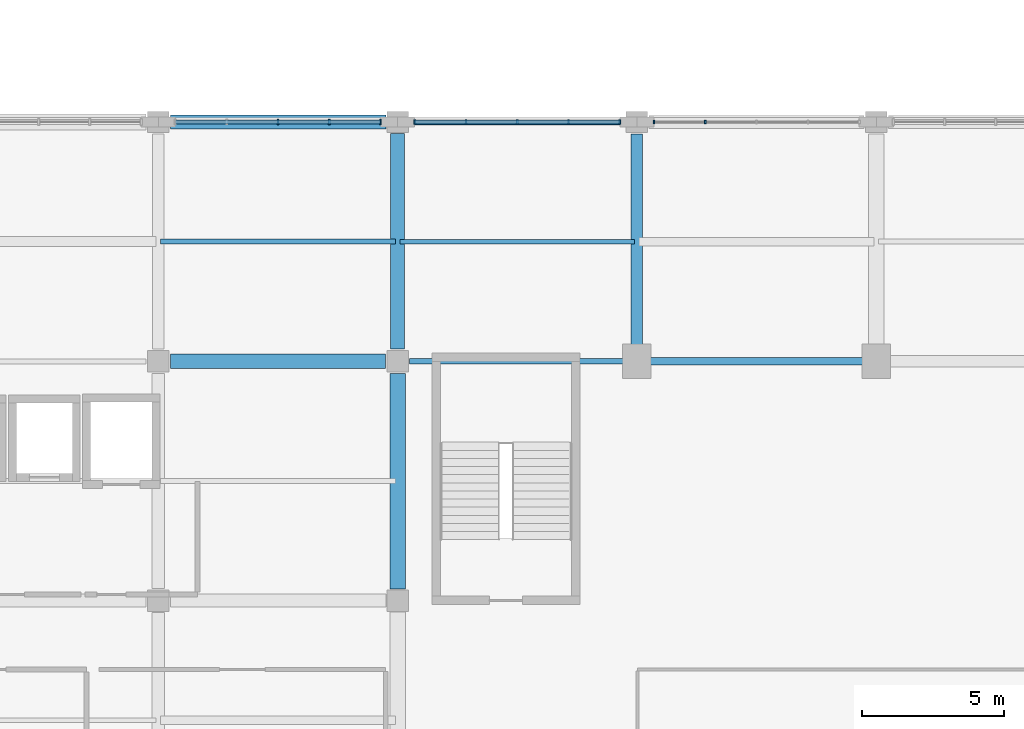
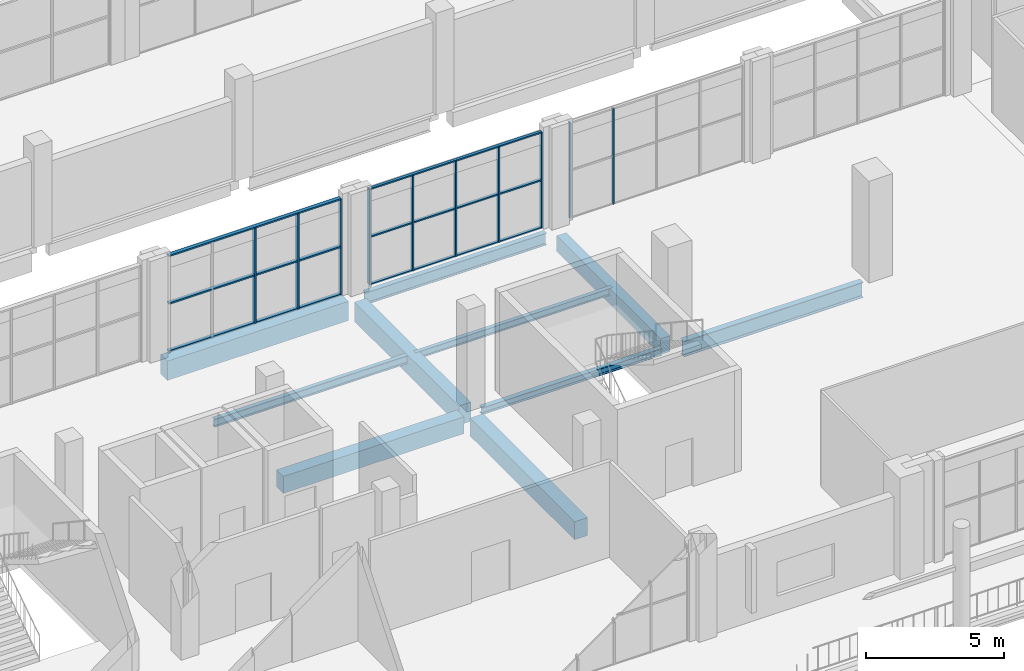
# One storey, part 27 of 75: 16 members, 10 beams, 3 elements without a shape of their own.
"""IFC4 building model written with IfcOpenShell, lengths in metres."""

from ifc_helpers import new_model, si_unit, derived_unit, direction, frame, origin, origin_2d, place, context, subcontext, project, spatial, rectangle, i_section, extrude, material, material_profile, profile_set, type_object, element, aggregate, save


model = new_model("IFC4")

# Units and contexts
model_context = context("Model", 3, precision=1e-05, world=origin(), true_north=direction((0.0, 1.0)))
body_context = subcontext(model_context, "Body", "Model", "MODEL_VIEW")
ifc_project = project(units=[si_unit("LENGTHUNIT", "METRE"), si_unit("AREAUNIT", "SQUARE_METRE"), si_unit("VOLUMEUNIT", "CUBIC_METRE"), si_unit("PLANEANGLEUNIT", "RADIAN"), si_unit("MASSUNIT", "GRAM", prefix="KILO"), derived_unit("THERMALTRANSMITTANCEUNIT", [(si_unit("POWERUNIT", "WATT"), 1), (si_unit("LENGTHUNIT", "METRE"), -2), (si_unit("THERMODYNAMICTEMPERATUREUNIT", "KELVIN"), -1)])], contexts=[model_context])

# Site, building, storey
site_placement = place(None, origin())
site = spatial("IfcSite", under=ifc_project, at=site_placement, CompositionType="ELEMENT")
building_placement = place(site_placement, origin())
building = spatial("IfcBuilding", under=site, at=building_placement, Name="Barrovel Congress Hotel", CompositionType="ELEMENT")
storey_placement = place(building_placement, frame((0.0, 0.0, 5.39990234375)))
storey = spatial("IfcBuildingStorey", under=building, at=storey_placement, Name="L01", CompositionType="ELEMENT", Elevation=5.39990234375)

# Beams
ifc_material_1 = material(Name="Concrete C40", Category="concrete")
ifc_material_profile_1 = material_profile(ifc_material_1, rectangle(XDim=0.39990234375, YDim=0.699951171875, at=origin_2d()), Name="RC400x700")
ifc_profile_set_1 = profile_set([ifc_material_profile_1], Name="Concrete C40")
beam_type_1 = type_object("IfcBeamType", Name="BM-RC400x700", PredefinedType="BEAM", material=ifc_profile_set_1)
beam_1_placement = place(storey_placement, frame((109.199951171875, 21.449951171875, -0.60986328125), z_axis=(0.0, 1.0, 0.0), x_axis=(-1.0, 0.0, 0.0)))
element("IfcBeam", 1, at=beam_1_placement, inside=storey, type_object=beam_type_1, Name="BMY:L01:109.2:21.0-29.4", PredefinedType="BEAM", context=body_context, shape_type="SweptSolid", body=[
    extrude(rectangle(XDim=0.39990234375, YDim=0.699951171875, at=origin_2d()), origin(), (0.0, 0.0, 1.0), 7.525146484375),
])
ifc_material_profile_2 = material_profile(ifc_material_1, rectangle(XDim=0.5, YDim=0.75, at=origin_2d()), Name="RC500x750")
ifc_profile_set_2 = profile_set([ifc_material_profile_2], Name="Concrete C40")
beam_type_2 = type_object("IfcBeamType", Name="BM-RC500x750", PredefinedType="BEAM", material=ifc_profile_set_2)
beam_2_placement = place(storey_placement, frame((92.824951171875, 21.0, -0.635009765625), z_axis=(1.0, 0.0, 0.0), x_axis=(0.0, 1.0, 0.0)))
element("IfcBeam", 2, at=beam_2_placement, inside=storey, type_object=beam_type_2, Name="BMX:L01:21.0:92.4-100.8", PredefinedType="BEAM", context=body_context, shape_type="SweptSolid", body=[
    extrude(rectangle(XDim=0.5, YDim=0.75, at=origin_2d()), origin(), (0.0, 0.0, 1.0), 7.550048828125),
])
ifc_material_profile_3 = material_profile(ifc_material_1, rectangle(XDim=0.5, YDim=0.85009765625, at=origin_2d()), Name="RC500x850")
ifc_profile_set_3 = profile_set([ifc_material_profile_3], Name="Concrete C40")
beam_type_3 = type_object("IfcBeamType", Name="BM-RC500x850", PredefinedType="BEAM", material=ifc_profile_set_3)
for number, where, z_axis, x_axis, name in (
    (3, (92.824951171875, 29.39990234375, -0.684814453125), (1.0, 0.0, 0.0), (0.0, 1.0, 0.0), "BMX:L01:29.4:92.4-100.8"),
    (4, (100.800048828125, 21.425048828125, -0.684814453125), (0.0, 1.0, 0.0), (-1.0, 0.0, 0.0), "BMY:L01:100.8:21.0-29.4"),
):
    element("IfcBeam", number, at=place(storey_placement, frame(where, z_axis=z_axis, x_axis=x_axis)), inside=storey, type_object=beam_type_3, Name=name, PredefinedType="BEAM", context=body_context, shape_type="SweptSolid", body=[
        extrude(rectangle(XDim=0.5, YDim=0.85009765625, at=origin_2d()), origin(), (0.0, 0.0, 1.0), 7.574951171875),
    ])
ifc_material_profile_4 = material_profile(ifc_material_1, rectangle(XDim=0.550048828125, YDim=0.800048828125, at=origin_2d()), Name="RC550x800")
ifc_profile_set_4 = profile_set([ifc_material_profile_4], Name="Concrete C40")
beam_type_4 = type_object("IfcBeamType", Name="BM-RC550x800", PredefinedType="BEAM", material=ifc_profile_set_4)
beam_3_placement = place(storey_placement, frame((100.800048828125, 13.0, -0.659912109375), z_axis=(0.0, 1.0, 0.0), x_axis=(-1.0, 0.0, 0.0)))
element("IfcBeam", 5, at=beam_3_placement, inside=storey, type_object=beam_type_4, Name="BMY:L01:100.8:12.6-21.0", PredefinedType="BEAM", context=body_context, shape_type="SweptSolid", body=[
    extrude(rectangle(XDim=0.550048828125, YDim=0.800048828125, at=origin_2d()), origin(), (0.0, 0.0, 1.0), 7.574951171875),
])

# Curtain wall, members
ifc_material_2 = material(Name="Anodised Aluminium Alloy 6063-T6", Category="aluminium")
curtain_wall_type = type_object("IfcCurtainWallType", Name="CW-ST-7200x3900", PredefinedType="USERDEFINED", material=ifc_material_2)
curtain_wall_1_placement = place(storey_placement, origin())
curtain_wall_1 = element("IfcCurtainWall", 6, at=curtain_wall_1_placement, inside=storey, type_object=curtain_wall_type, Name="CW:L01:CS:13", ObjectType="STICK CURTAIN WALL", PredefinedType="USERDEFINED")
ifc_material_profile_5 = material_profile(ifc_material_2, rectangle(XDim=0.06005859375, YDim=0.139892578125, at=origin_2d()), Name="AL-M60x140")
ifc_profile_set_5 = profile_set([ifc_material_profile_5], Name="Anodised Aluminium Alloy 6063-T6")
member_type_1 = type_object("IfcMemberType", Name="CWM-AL-M60x140", PredefinedType="MULLION", material=ifc_profile_set_5)
member_1_placement = place(storey_placement, frame((111.60009765625, 29.39990234375, 0.0), z_axis=(0.0, 0.0, 1.0), x_axis=(1.0, 0.0, 0.0)))
member_1 = element("IfcMember", 7, at=member_1_placement, type_object=member_type_1, Name="CW:L01:CS:13:M3", PredefinedType="MULLION", context=body_context, shape_type="SweptSolid", body=[
    extrude(rectangle(XDim=0.06005859375, YDim=0.139892578125, at=origin_2d()), origin(), (0.0, 0.0, 1.0), 4.22021484375),
])
member_2_placement = place(storey_placement, frame((109.800048828125, 29.39990234375, 0.0), z_axis=(0.0, 0.0, 1.0), x_axis=(1.0, 0.0, 0.0)))
member_2 = element("IfcMember", 8, at=member_2_placement, type_object=member_type_1, Name="CW:L01:CS:13:M4", PredefinedType="MULLION", context=body_context, shape_type="SweptSolid", body=[
    extrude(rectangle(XDim=0.06005859375, YDim=0.139892578125, at=origin_2d()), origin(), (0.0, 0.0, 1.0), 4.22021484375),
])
aggregate(curtain_wall_1, [member_1, member_2])

curtain_wall_2_placement = place(storey_placement, origin())
curtain_wall_2 = element("IfcCurtainWall", 9, at=curtain_wall_2_placement, inside=storey, type_object=curtain_wall_type, Name="CW:L01:CS:12", ObjectType="STICK CURTAIN WALL", PredefinedType="USERDEFINED")
ifc_material_profile_6 = material_profile(ifc_material_2, rectangle(XDim=0.06005859375, YDim=0.1650390625, at=origin_2d()), Name="AL-M60x165")
ifc_profile_set_6 = profile_set([ifc_material_profile_6], Name="Anodised Aluminium Alloy 6063-T6")
member_type_2 = type_object("IfcMemberType", Name="CWM-AL-M60x165", PredefinedType="MULLION", material=ifc_profile_set_6)
member_3_placement = place(storey_placement, frame((108.60009765625, 29.39990234375, 0.0), z_axis=(0.0, 0.0, 1.0), x_axis=(1.0, 0.0, 0.0)))
member_3 = element("IfcMember", 10, at=member_3_placement, type_object=member_type_2, Name="CW:L01:CS:12:M0", PredefinedType="MULLION", context=body_context, shape_type="SweptSolid", body=[
    extrude(rectangle(XDim=0.06005859375, YDim=0.1650390625, at=origin_2d()), origin(), (0.0, 0.0, 1.0), 4.22021484375),
])
member_4_placement = place(storey_placement, frame((106.800048828125, 29.39990234375, 0.0), z_axis=(0.0, 0.0, 1.0), x_axis=(1.0, 0.0, 0.0)))
member_4 = element("IfcMember", 11, at=member_4_placement, type_object=member_type_2, Name="CW:L01:CS:12:M1", PredefinedType="MULLION", context=body_context, shape_type="SweptSolid", body=[
    extrude(rectangle(XDim=0.06005859375, YDim=0.1650390625, at=origin_2d()), origin(), (0.0, 0.0, 1.0), 4.22021484375),
])
member_5_placement = place(storey_placement, frame((105.0, 29.39990234375, 0.0), z_axis=(0.0, 0.0, 1.0), x_axis=(1.0, 0.0, 0.0)))
member_5 = element("IfcMember", 12, at=member_5_placement, type_object=member_type_2, Name="CW:L01:CS:12:M2", PredefinedType="MULLION", context=body_context, shape_type="SweptSolid", body=[
    extrude(rectangle(XDim=0.06005859375, YDim=0.1650390625, at=origin_2d()), origin(), (0.0, 0.0, 1.0), 4.22021484375),
])
member_6_placement = place(storey_placement, frame((103.199951171875, 29.39990234375, 0.0), z_axis=(0.0, 0.0, 1.0), x_axis=(1.0, 0.0, 0.0)))
member_6 = element("IfcMember", 13, at=member_6_placement, type_object=member_type_2, Name="CW:L01:CS:12:M3", PredefinedType="MULLION", context=body_context, shape_type="SweptSolid", body=[
    extrude(rectangle(XDim=0.06005859375, YDim=0.1650390625, at=origin_2d()), origin(), (0.0, 0.0, 1.0), 4.22021484375),
])
member_7_placement = place(storey_placement, frame((101.39990234375, 29.39990234375, 0.0), z_axis=(0.0, 0.0, 1.0), x_axis=(1.0, 0.0, 0.0)))
member_7 = element("IfcMember", 14, at=member_7_placement, type_object=member_type_2, Name="CW:L01:CS:12:M4", PredefinedType="MULLION", context=body_context, shape_type="SweptSolid", body=[
    extrude(rectangle(XDim=0.06005859375, YDim=0.1650390625, at=origin_2d()), origin(), (0.0, 0.0, 1.0), 4.22021484375),
])

curtain_wall_3_placement = place(storey_placement, origin())
curtain_wall_3 = element("IfcCurtainWall", 15, at=curtain_wall_3_placement, inside=storey, type_object=curtain_wall_type, Name="CW:L01:CS:11", ObjectType="STICK CURTAIN WALL", PredefinedType="USERDEFINED")
ifc_material_profile_7 = material_profile(ifc_material_2, rectangle(XDim=0.06494140625, YDim=0.18994140625, at=origin_2d()), Name="AL-M65x190")
ifc_profile_set_7 = profile_set([ifc_material_profile_7], Name="Anodised Aluminium Alloy 6063-T6")
member_type_3 = type_object("IfcMemberType", Name="CWM-AL-M65x190", PredefinedType="MULLION", material=ifc_profile_set_7)
member_8_placement = place(storey_placement, frame((100.199951171875, 29.39990234375, 0.0), z_axis=(0.0, 0.0, 1.0), x_axis=(1.0, 0.0, 0.0)))
member_8 = element("IfcMember", 16, at=member_8_placement, type_object=member_type_3, Name="CW:L01:CS:11:M0", PredefinedType="MULLION", context=body_context, shape_type="SweptSolid", body=[
    extrude(rectangle(XDim=0.06494140625, YDim=0.18994140625, at=origin_2d()), origin(), (0.0, 0.0, 1.0), 4.22021484375),
])
member_9_placement = place(storey_placement, frame((98.39990234375, 29.39990234375, 0.0), z_axis=(0.0, 0.0, 1.0), x_axis=(1.0, 0.0, 0.0)))
member_9 = element("IfcMember", 17, at=member_9_placement, type_object=member_type_3, Name="CW:L01:CS:11:M1", PredefinedType="MULLION", context=body_context, shape_type="SweptSolid", body=[
    extrude(rectangle(XDim=0.06494140625, YDim=0.18994140625, at=origin_2d()), origin(), (0.0, 0.0, 1.0), 4.22021484375),
])
member_10_placement = place(storey_placement, frame((96.60009765625, 29.39990234375, 0.0), z_axis=(0.0, 0.0, 1.0), x_axis=(1.0, 0.0, 0.0)))
member_10 = element("IfcMember", 18, at=member_10_placement, type_object=member_type_3, Name="CW:L01:CS:11:M2", PredefinedType="MULLION", context=body_context, shape_type="SweptSolid", body=[
    extrude(rectangle(XDim=0.06494140625, YDim=0.18994140625, at=origin_2d()), origin(), (0.0, 0.0, 1.0), 4.22021484375),
])

# Member
ifc_material_profile_8 = material_profile(ifc_material_2, rectangle(XDim=0.125, YDim=0.06005859375, at=origin_2d()), Name="AL-T60x125")
ifc_profile_set_8 = profile_set([ifc_material_profile_8], Name="Anodised Aluminium Alloy 6063-T6")
member_type_4 = type_object("IfcMemberType", Name="CWT-AL-T60x125", PredefinedType="USERDEFINED", material=ifc_profile_set_8)
member_11_placement = place(storey_placement, frame((108.60009765625, 29.39990234375, 0.0), z_axis=(-1.0, 0.0, 0.0), x_axis=(0.0, -1.0, 0.0)))
member_11 = element("IfcMember", 19, at=member_11_placement, type_object=member_type_4, Name="CW:L01:CS:12:T0", ObjectType="TRANSOM", PredefinedType="USERDEFINED", context=body_context, shape_type="SweptSolid", body=[
    extrude(rectangle(XDim=0.125, YDim=0.06005859375, at=origin_2d()), origin(), (0.0, 0.0, 1.0), 7.2001953125),
])

member_12_placement = place(storey_placement, frame((108.60009765625, 29.39990234375, 2.110107421875), z_axis=(-1.0, 0.0, 0.0), x_axis=(0.0, -1.0, 0.0)))
member_12 = element("IfcMember", 20, at=member_12_placement, type_object=member_type_4, Name="CW:L01:CS:12:T1", ObjectType="TRANSOM", PredefinedType="USERDEFINED", context=body_context, shape_type="SweptSolid", body=[
    extrude(rectangle(XDim=0.125, YDim=0.06005859375, at=origin_2d()), origin(), (0.0, 0.0, 1.0), 7.2001953125),
])

member_13_placement = place(storey_placement, frame((108.60009765625, 29.39990234375, 4.22021484375), z_axis=(-1.0, 0.0, 0.0), x_axis=(0.0, -1.0, 0.0)))
member_13 = element("IfcMember", 21, at=member_13_placement, type_object=member_type_4, Name="CW:L01:CS:12:T2", ObjectType="TRANSOM", PredefinedType="USERDEFINED", context=body_context, shape_type="SweptSolid", body=[
    extrude(rectangle(XDim=0.125, YDim=0.06005859375, at=origin_2d()), origin(), (0.0, 0.0, 1.0), 7.2001953125),
])

aggregate(curtain_wall_2, [member_3, member_4, member_5, member_6, member_7, member_11, member_12, member_13])

ifc_material_profile_9 = material_profile(ifc_material_2, rectangle(XDim=0.14990234375, YDim=0.06494140625, at=origin_2d()), Name="AL-T65x150")
ifc_profile_set_9 = profile_set([ifc_material_profile_9], Name="Anodised Aluminium Alloy 6063-T6")
member_type_5 = type_object("IfcMemberType", Name="CWT-AL-T65x150", PredefinedType="USERDEFINED", material=ifc_profile_set_9)
member_14_placement = place(storey_placement, frame((100.199951171875, 29.39990234375, 0.0), z_axis=(-1.0, 0.0, 0.0), x_axis=(0.0, -1.0, 0.0)))
member_14 = element("IfcMember", 22, at=member_14_placement, type_object=member_type_5, Name="CW:L01:CS:11:T0", ObjectType="TRANSOM", PredefinedType="USERDEFINED", context=body_context, shape_type="SweptSolid", body=[
    extrude(rectangle(XDim=0.14990234375, YDim=0.06494140625, at=origin_2d()), origin(), (0.0, 0.0, 1.0), 7.199951171875),
])

member_15_placement = place(storey_placement, frame((100.199951171875, 29.39990234375, 2.110107421875), z_axis=(-1.0, 0.0, 0.0), x_axis=(0.0, -1.0, 0.0)))
member_15 = element("IfcMember", 23, at=member_15_placement, type_object=member_type_5, Name="CW:L01:CS:11:T1", ObjectType="TRANSOM", PredefinedType="USERDEFINED", context=body_context, shape_type="SweptSolid", body=[
    extrude(rectangle(XDim=0.14990234375, YDim=0.06494140625, at=origin_2d()), origin(), (0.0, 0.0, 1.0), 7.199951171875),
])

member_16_placement = place(storey_placement, frame((100.199951171875, 29.39990234375, 4.22021484375), z_axis=(-1.0, 0.0, 0.0), x_axis=(0.0, -1.0, 0.0)))
member_16 = element("IfcMember", 24, at=member_16_placement, type_object=member_type_5, Name="CW:L01:CS:11:T2", ObjectType="TRANSOM", PredefinedType="USERDEFINED", context=body_context, shape_type="SweptSolid", body=[
    extrude(rectangle(XDim=0.14990234375, YDim=0.06494140625, at=origin_2d()), origin(), (0.0, 0.0, 1.0), 7.199951171875),
])

aggregate(curtain_wall_3, [member_8, member_9, member_10, member_14, member_15, member_16])

# Beams
ifc_material_3 = material(Name="Steel ASTM A992 Grade 50", Category="steel")
ifc_material_profile_10 = material_profile(ifc_material_3, i_section(OverallWidth=0.1650390625, OverallDepth=0.31005859375, WebThickness=0.005859375, FlangeThickness=0.009765625, FilletRadius=0.010986328125, at=origin_2d()), Name="W310x39")
ifc_profile_set_10 = profile_set([ifc_material_profile_10], Name="Steel ASTM A992 Grade 50")
beam_type_5 = type_object("IfcBeamType", Name="SBM-W310x39", PredefinedType="JOIST", material=ifc_profile_set_10)
beam_4_placement = place(storey_placement, frame((100.8798828125, 25.199951171875, -0.414794921875), z_axis=(1.0, 0.0, 0.0), x_axis=(0.0, 1.0, 0.0)))
element("IfcBeam", 25, at=beam_4_placement, inside=storey, type_object=beam_type_5, Name="JST:L01:100.8:25.2", PredefinedType="JOIST", context=body_context, shape_type="SweptSolid", body=[
    extrude(i_section(OverallWidth=0.1650390625, OverallDepth=0.31005859375, WebThickness=0.005859375, FlangeThickness=0.009765625, FilletRadius=0.010986328125, at=origin_2d()), origin(), (0.0, 0.0, 1.0), 8.240234375),
])
ifc_material_profile_11 = material_profile(ifc_material_3, i_section(OverallWidth=0.205078125, OverallDepth=0.31005859375, WebThickness=0.009521484375, FlangeThickness=0.016357421875, FilletRadius=0.012939453125, at=origin_2d()), Name="W310x74")
ifc_profile_set_11 = profile_set([ifc_material_profile_11], Name="Steel ASTM A992 Grade 50")
beam_type_6 = type_object("IfcBeamType", Name="SBM-W310x74", PredefinedType="SPANDREL", material=ifc_profile_set_11)
beam_5_placement = place(storey_placement, frame((101.22509765625, 21.0, -0.414794921875), z_axis=(1.0, 0.0, 0.0), x_axis=(0.0, 1.0, 0.0)))
element("IfcBeam", 26, at=beam_5_placement, inside=storey, type_object=beam_type_6, Name="BMX:L01:21.0:100.8-109.2", PredefinedType="SPANDREL", context=body_context, shape_type="SweptSolid", body=[
    extrude(i_section(OverallWidth=0.205078125, OverallDepth=0.31005859375, WebThickness=0.009521484375, FlangeThickness=0.016357421875, FilletRadius=0.012939453125, at=origin_2d()), origin(), (0.0, 0.0, 1.0), 7.52490234375),
])
ifc_material_profile_12 = material_profile(ifc_material_3, i_section(OverallWidth=0.172119140625, OverallDepth=0.35791015625, WebThickness=0.0078125, FlangeThickness=0.01318359375, FilletRadius=0.011962890625, at=origin_2d()), Name="W360x57")
ifc_profile_set_12 = profile_set([ifc_material_profile_12], Name="Steel ASTM A992 Grade 50")
beam_type_7 = type_object("IfcBeamType", Name="SBM-W360x57", PredefinedType="JOIST", material=ifc_profile_set_12)
beam_6_placement = place(storey_placement, frame((92.47998046875, 25.199951171875, -0.43896484375), z_axis=(1.0, 0.0, 0.0), x_axis=(0.0, 1.0, 0.0)))
element("IfcBeam", 27, at=beam_6_placement, inside=storey, type_object=beam_type_7, Name="JST:L01:92.4:25.2", PredefinedType="JOIST", context=body_context, shape_type="SweptSolid", body=[
    extrude(i_section(OverallWidth=0.172119140625, OverallDepth=0.35791015625, WebThickness=0.0078125, FlangeThickness=0.01318359375, FilletRadius=0.011962890625, at=origin_2d()), origin(), (0.0, 0.0, 1.0), 8.239990234375),
])
ifc_material_profile_13 = material_profile(ifc_material_3, i_section(OverallWidth=0.208984375, OverallDepth=0.529052734375, WebThickness=0.009765625, FlangeThickness=0.013671875, FilletRadius=0.013916015625, at=origin_2d()), Name="W530x74")
ifc_profile_set_13 = profile_set([ifc_material_profile_13], Name="Steel ASTM A992 Grade 50")
beam_type_8 = type_object("IfcBeamType", Name="SBM-W530x74", PredefinedType="BEAM", material=ifc_profile_set_13)
beam_7_placement = place(storey_placement, frame((101.199951171875, 29.39990234375, -0.5244140625), z_axis=(1.0, 0.0, 0.0), x_axis=(0.0, 1.0, 0.0)))
element("IfcBeam", 28, at=beam_7_placement, inside=storey, type_object=beam_type_8, Name="BMX:L01:29.4:100.8-109.2", PredefinedType="BEAM", context=body_context, shape_type="SweptSolid", body=[
    extrude(i_section(OverallWidth=0.208984375, OverallDepth=0.529052734375, WebThickness=0.009765625, FlangeThickness=0.013671875, FilletRadius=0.013916015625, at=origin_2d()), origin(), (0.0, 0.0, 1.0), 7.574951171875),
])
ifc_material_profile_14 = material_profile(ifc_material_3, i_section(OverallWidth=0.25390625, OverallDepth=0.68408203125, WebThickness=0.012451171875, FlangeThickness=0.01904296875, FilletRadius=0.014892578125, at=origin_2d()), Name="W690x140")
ifc_profile_set_14 = profile_set([ifc_material_profile_14], Name="Steel ASTM A992 Grade 50")
beam_type_9 = type_object("IfcBeamType", Name="SBM-W690x140", PredefinedType="BEAM", material=ifc_profile_set_14)
beam_8_placement = place(storey_placement, frame((109.64990234375, 21.0, -0.601806640625), z_axis=(1.0, 0.0, 0.0), x_axis=(0.0, 1.0, 0.0)))
element("IfcBeam", 29, at=beam_8_placement, inside=storey, type_object=beam_type_9, Name="BMX:L01:21.0:109.2-117.6", PredefinedType="BEAM", context=body_context, shape_type="SweptSolid", body=[
    extrude(i_section(OverallWidth=0.25390625, OverallDepth=0.68408203125, WebThickness=0.012451171875, FlangeThickness=0.01904296875, FilletRadius=0.014892578125, at=origin_2d()), origin(), (0.0, 0.0, 1.0), 7.5),
])

save(model, "model.ifc")
